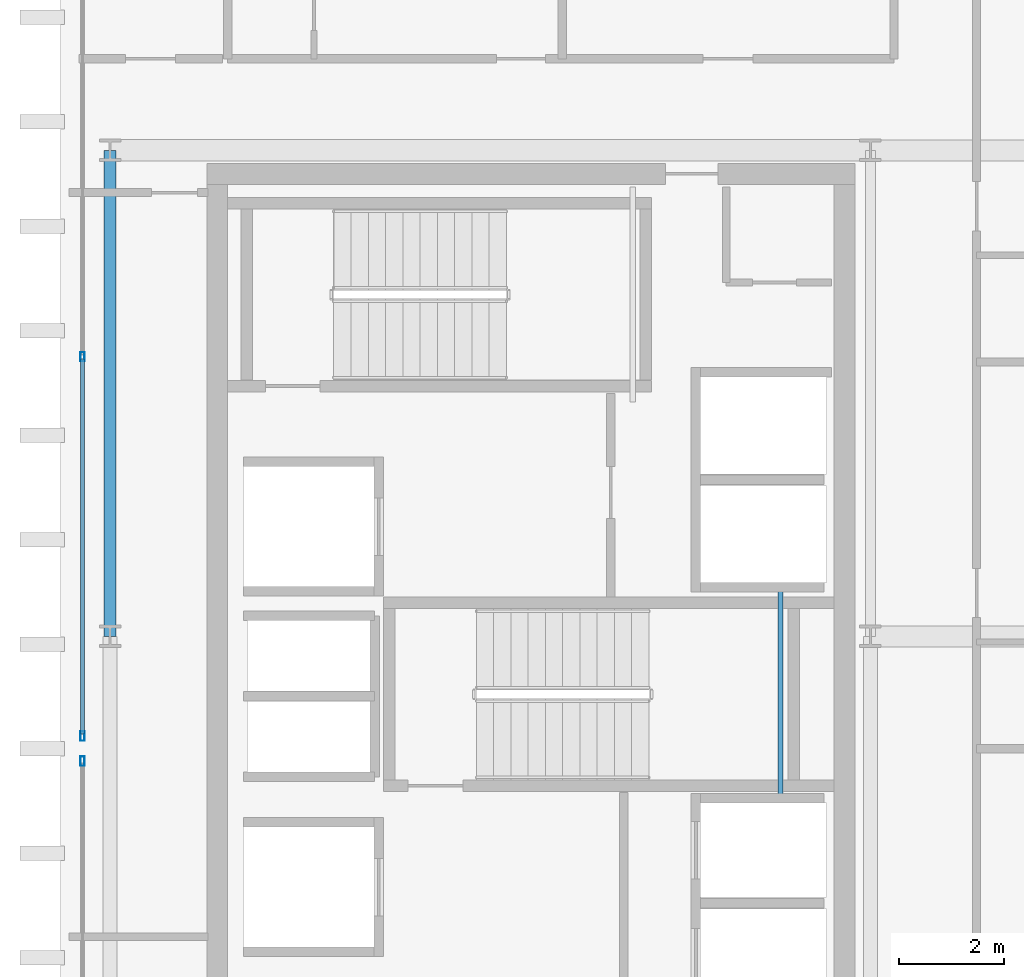
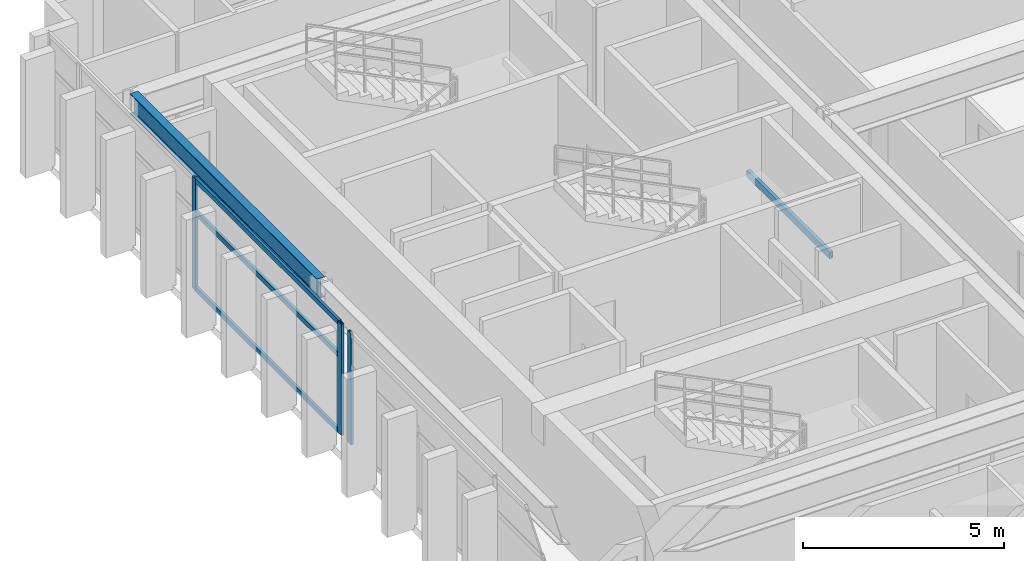
# One storey, part 6 of 15: 6 members, 2 beams, 2 elements without a shape of their own.
"""IFC4 building model written with IfcOpenShell, lengths in metres."""

from ifc_helpers import new_model, si_unit, direction, frame, origin, origin_2d, place, context, subcontext, project, spatial, hollow_rectangle, i_section, extrude, source, transform, mapped, material, layer, layer_set, material_profile, profile_set, type_object, element, aggregate, save


model = new_model("IFC4")

# Units and contexts
model_context = context("Model", 3, precision=1e-05, world=origin(), true_north=direction((0.0, 1.0)))
body_context = subcontext(model_context, "Body", "Model", "MODEL_VIEW")
ifc_project = project(units=[si_unit("LENGTHUNIT", "METRE"), si_unit("AREAUNIT", "SQUARE_METRE"), si_unit("VOLUMEUNIT", "CUBIC_METRE"), si_unit("PLANEANGLEUNIT", "RADIAN"), si_unit("MASSUNIT", "GRAM", prefix="KILO")], contexts=[model_context])

# Site, building, storey
site_placement = place(None, origin())
site = spatial("IfcSite", under=ifc_project, at=site_placement, CompositionType="ELEMENT")
building_placement = place(site_placement, origin())
building = spatial("IfcBuilding", under=site, at=building_placement, Name="Ocotamira Hotel", CompositionType="ELEMENT")
storey_placement = place(building_placement, frame((0.0, 0.0, 286.800048828125)))
storey = spatial("IfcBuildingStorey", under=building, at=storey_placement, Name="L73", CompositionType="ELEMENT", Elevation=286.800048828125)

# Beams
ifc_material_1 = material(Name="Steel ASTM A500 Grade C", Category="steel")
ifc_material_profile_1 = material_profile(ifc_material_1, hollow_rectangle(XDim=0.10009765625, YDim=0.199951171875, WallThickness=0.008056640625, at=origin_2d()), Name="HSS200X100X8")
ifc_profile_set_1 = profile_set([ifc_material_profile_1], Name="Steel ASTM A500 Grade C")
beam_type_1 = type_object("IfcBeamType", Name="BM-STLDG-HSS200", PredefinedType="BEAM", material=ifc_profile_set_1)
shared_shape_1 = source(origin(), body_context, "Body", "SweptSolid", [
    extrude(hollow_rectangle(XDim=0.10009765625, YDim=0.199951171875, WallThickness=0.008056640625, at=origin_2d()), origin(), (0.0, 0.0, 1.0), 4.1201171875),
])
beam_1_placement = place(storey_placement, frame((21.780029296875, 24.97998046875, 1.5), z_axis=(0.0, 1.0, 0.0), x_axis=(-1.0, 0.0, 0.0)))
element("IfcBeam", 1, at=beam_1_placement, inside=storey, type_object=beam_type_1, Name="L73 Stair ST-3 Landing Bearer 1", PredefinedType="BEAM", context=body_context, shape_type="MappedRepresentation", body=[
    mapped(shared_shape_1, transform((0.0, 0.0, 0.0), scale=1.0)),
])
ifc_material_2 = material(Name="Steel ASTM A992 Grade 50", Category="steel")
ifc_material_profile_2 = material_profile(ifc_material_2, i_section(OverallWidth=0.22998046875, OverallDepth=0.616943359375, WebThickness=0.01318359375, FlangeThickness=0.022216796875, FilletRadius=0.012939453125, at=origin_2d()), Name="W24X94")
ifc_profile_set_2 = profile_set([ifc_material_profile_2], Name="Steel ASTM A992 Grade 50")
beam_type_2 = type_object("IfcBeamType", Name="BM-PRIM-W24X94", PredefinedType="BEAM", material=ifc_profile_set_2)
shared_shape_2 = source(origin(), body_context, "Body", "SweptSolid", [
    extrude(i_section(OverallWidth=0.22998046875, OverallDepth=0.616943359375, WebThickness=0.01318359375, FlangeThickness=0.022216796875, FilletRadius=0.012939453125, at=origin_2d()), origin(), (0.0, 0.0, 1.0), 9.300048828125),
])
beam_2_placement = place(storey_placement, frame((8.949951171875, 28.14990234375, 3.071533203125), z_axis=(0.0, 1.0, 0.0), x_axis=(-1.0, 0.0, 0.0)))
element("IfcBeam", 2, at=beam_2_placement, inside=storey, type_object=beam_type_2, Name="L73 Beam X8.95 Y28.15-37.45", PredefinedType="BEAM", context=body_context, shape_type="MappedRepresentation", body=[
    mapped(shared_shape_2, transform((0.0, 0.0, 0.0), scale=1.0)),
])

# Curtain wall, member
ifc_material_3 = material(Name="Anodised pale-metal aluminium and solar glass", Category="aluminium")
ifc_layer = layer(ifc_material_3, 0.2099609375)
ifc_layer_set = layer_set([ifc_layer], Name="Anodised pale-metal aluminium and solar glass")
curtain_wall_type = type_object("IfcCurtainWallType", Name="CW-SYS7-PEAK", PredefinedType="NOTDEFINED", material=ifc_layer_set)
curtain_wall_1_placement = place(storey_placement, origin())
curtain_wall_1 = element("IfcCurtainWall", 3, at=curtain_wall_1_placement, inside=storey, type_object=curtain_wall_type, Name="L73 Curtain Wall CW-7 CW-L73-W1", PredefinedType="NOTDEFINED")
ifc_material_4 = material(Name="Anodised pale-metal aluminium 6063-T6", Category="aluminium")
ifc_material_profile_3 = material_profile(ifc_material_4, hollow_rectangle(XDim=0.080078125, YDim=0.179931640625, WallThickness=0.006103515625, at=origin_2d()), Name="HSS180X80X6")
ifc_profile_set_3 = profile_set([ifc_material_profile_3], Name="Anodised pale-metal aluminium 6063-T6")
member_type_1 = type_object("IfcMemberType", Name="CWM-180X75", PredefinedType="MULLION", material=ifc_profile_set_3)
shared_shape_3 = source(origin(), body_context, "Body", "SweptSolid", [
    extrude(hollow_rectangle(XDim=0.080078125, YDim=0.179931640625, WallThickness=0.006103515625, at=origin_2d()), origin(), (0.0, 0.0, 1.0), 3.3798828125),
])
member_1_placement = place(storey_placement, frame((8.419921875, 25.760009765625, 0.0), z_axis=(0.0, 0.0, 1.0), x_axis=(-1.0, 0.0, 0.0)))
member_1 = element("IfcMember", 4, at=member_1_placement, type_object=member_type_1, Name="CW-7 mullion 3", PredefinedType="MULLION", context=body_context, shape_type="MappedRepresentation", body=[
    mapped(shared_shape_3, transform((0.0, 0.0, 0.0), scale=1.0)),
])
aggregate(curtain_wall_1, [member_1])

# Curtain wall, members
curtain_wall_2_placement = place(storey_placement, origin())
curtain_wall_2 = element("IfcCurtainWall", 5, at=curtain_wall_2_placement, inside=storey, type_object=curtain_wall_type, Name="L73 Curtain Wall CW-7 CW-L73-W2", PredefinedType="NOTDEFINED")
member_2_placement = place(storey_placement, frame((8.419921875, 26.239990234375, 0.0), z_axis=(0.0, 0.0, 1.0), x_axis=(-1.0, 0.0, 0.0)))
member_2 = element("IfcMember", 6, at=member_2_placement, type_object=member_type_1, Name="CW-7 mullion 1", PredefinedType="MULLION", context=body_context, shape_type="MappedRepresentation", body=[
    mapped(shared_shape_3, transform((0.0, 0.0, 0.0), scale=1.0)),
])
member_3_placement = place(storey_placement, frame((8.419921875, 33.5, 0.0), z_axis=(0.0, 0.0, 1.0), x_axis=(-1.0, 0.0, 0.0)))
member_3 = element("IfcMember", 7, at=member_3_placement, type_object=member_type_1, Name="CW-7 mullion 2", PredefinedType="MULLION", context=body_context, shape_type="MappedRepresentation", body=[
    mapped(shared_shape_3, transform((0.0, 0.0, 0.0), scale=1.0)),
])
ifc_material_profile_4 = material_profile(ifc_material_4, hollow_rectangle(XDim=0.074951171875, YDim=0.14990234375, WallThickness=0.006103515625, at=origin_2d()), Name="HSS150X75X6")
ifc_profile_set_4 = profile_set([ifc_material_profile_4], Name="Anodised pale-metal aluminium 6063-T6")
member_type_2 = type_object("IfcMemberType", Name="CWT-150X75", PredefinedType="USERDEFINED", material=ifc_profile_set_4)
shared_shape_4 = source(origin(), body_context, "Body", "SweptSolid", [
    extrude(hollow_rectangle(XDim=0.074951171875, YDim=0.14990234375, WallThickness=0.006103515625, at=origin_2d()), origin(), (0.0, 0.0, 1.0), 7.179931640625),
])
member_4_placement = place(storey_placement, frame((8.419921875, 26.280029296875, 0.037353515625), z_axis=(0.0, 1.0, 0.0), x_axis=(-1.0, 0.0, 0.0)))
member_4 = element("IfcMember", 8, at=member_4_placement, type_object=member_type_2, Name="CW-7 transom 1.1", ObjectType="TRANSOM", PredefinedType="USERDEFINED", context=body_context, shape_type="MappedRepresentation", body=[
    mapped(shared_shape_4, transform((0.0, 0.0, 0.0), scale=1.0)),
])
member_5_placement = place(storey_placement, frame((8.419921875, 26.280029296875, 2.349853515625), z_axis=(0.0, 1.0, 0.0), x_axis=(-1.0, 0.0, 0.0)))
member_5 = element("IfcMember", 9, at=member_5_placement, type_object=member_type_2, Name="CW-7 transom 1.2", ObjectType="TRANSOM", PredefinedType="USERDEFINED", context=body_context, shape_type="MappedRepresentation", body=[
    mapped(shared_shape_4, transform((0.0, 0.0, 0.0), scale=1.0)),
])
member_6_placement = place(storey_placement, frame((8.419921875, 26.280029296875, 3.342529296875), z_axis=(0.0, 1.0, 0.0), x_axis=(-1.0, 0.0, 0.0)))
member_6 = element("IfcMember", 10, at=member_6_placement, type_object=member_type_2, Name="CW-7 transom 1.3", ObjectType="TRANSOM", PredefinedType="USERDEFINED", context=body_context, shape_type="MappedRepresentation", body=[
    mapped(shared_shape_4, transform((0.0, 0.0, 0.0), scale=1.0)),
])
aggregate(curtain_wall_2, [member_2, member_3, member_4, member_5, member_6])

save(model, "model.ifc")
